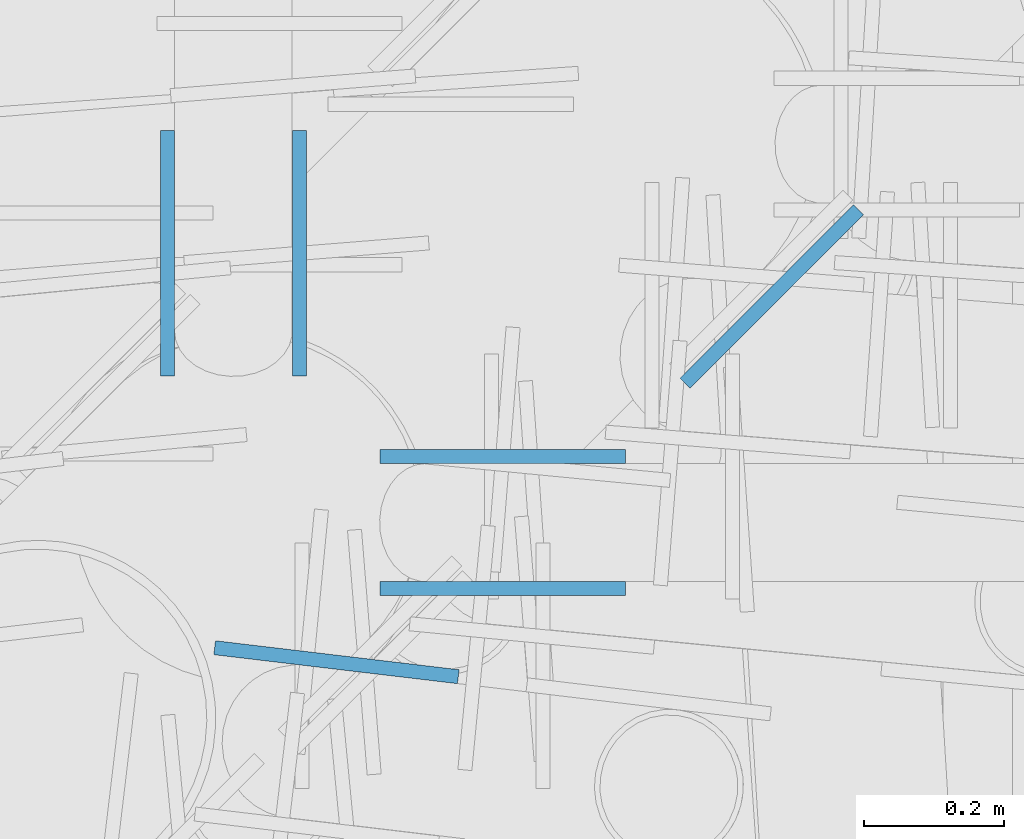
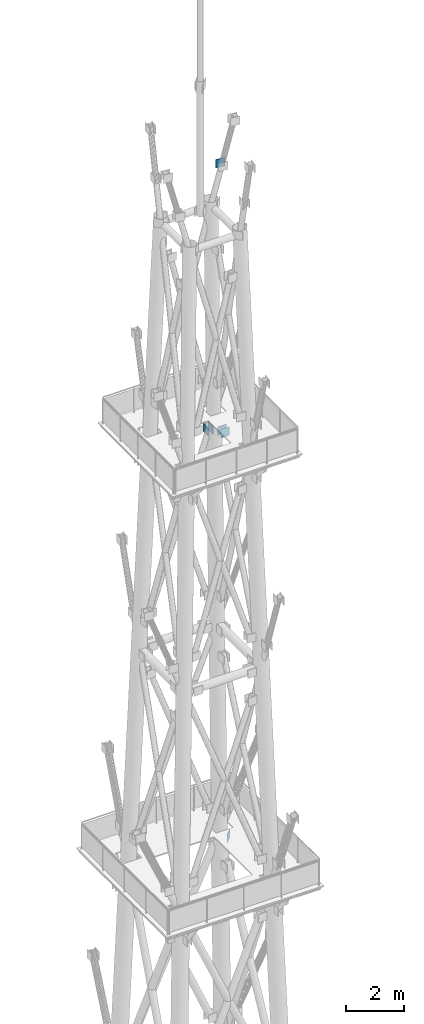
# One storey, part 21 of 25: 6 discrete accessories.
"""IFC4 building model written with IfcOpenShell, lengths in metres."""

from ifc_helpers import new_model, si_unit, direction, frame, origin, origin_2d, place, context, subcontext, project, spatial, rectangle, extrude, element, save


model = new_model("IFC4")

# Units and contexts
model_context = context("Model", 3, precision=1e-05, world=origin(), true_north=direction((0.0, 1.0)))
body_context = subcontext(model_context, "Body", "Model", "MODEL_VIEW")
ifc_project = project(units=[si_unit("LENGTHUNIT", "METRE"), si_unit("AREAUNIT", "SQUARE_METRE"), si_unit("VOLUMEUNIT", "CUBIC_METRE"), si_unit("PLANEANGLEUNIT", "RADIAN"), si_unit("MASSUNIT", "GRAM", prefix="KILO")], contexts=[model_context])

# Site, building, storey
site_placement = place(None, origin())
site = spatial("IfcSite", under=ifc_project, at=site_placement, CompositionType="ELEMENT")
building_placement = place(site_placement, origin())
building = spatial("IfcBuilding", under=site, at=building_placement, Name="Vidyagriha Tower", CompositionType="ELEMENT")
storey_placement = place(building_placement, frame((0.0, 0.0, 318.39990234375)))
storey = spatial("IfcBuildingStorey", under=building, at=storey_placement, Name="RF", CompositionType="ELEMENT", Elevation=318.39990234375)

# Discrete accessories
for number, where, z_axis, x_axis, name in (
    (1, (2.0380859375, 14.592529296875, 22.650146484375), (0.0, 0.0, 1.0), (-0.707106781187, -0.707106781187, 0.0), "End plate ASTM A572 Grade 50 20mm"),
    (2, (1.4169921875, 14.07080078125, 51.42236328125), (0.0, 0.0, 1.0), (-0.992996678363, 0.118142273384, 0.0), "End plate ASTM A572 Grade 50 20mm"),
    (3, (1.654296875, 14.176025390625, 39.9609375), (0.0, 0.0, 1.0), (-1.0, 0.0, 0.0), "End plate ASTM A572 Grade 50 20mm"),
    (4, (1.654296875, 14.364013671875, 39.9609375), (0.0, 0.0, 1.0), (-1.0, 0.0, 0.0), "End plate ASTM A572 Grade 50 20mm"),
    (5, (1.364013671875, 14.654296875, 39.9609375), (0.0, 0.0, 1.0), (0.0, -1.0, 0.0), "End plate ASTM A572 Grade 50 20mm"),
    (6, (1.176025390625, 14.654296875, 39.9609375), (0.0, 0.0, 1.0), (0.0, -1.0, 0.0), "End plate ASTM A572 Grade 50 20mm"),
):
    element("IfcDiscreteAccessory", number, at=place(storey_placement, frame(where, z_axis=z_axis, x_axis=x_axis)), inside=storey, Name=name, ObjectType="END PLATE", PredefinedType="USERDEFINED", context=body_context, shape_type="SweptSolid", body=[
        extrude(rectangle(XDim=0.35009765625, YDim=0.02001953125, at=origin_2d()), origin(), (0.0, 0.0, 1.0), 0.35009765625),
    ])

save(model, "model.ifc")
